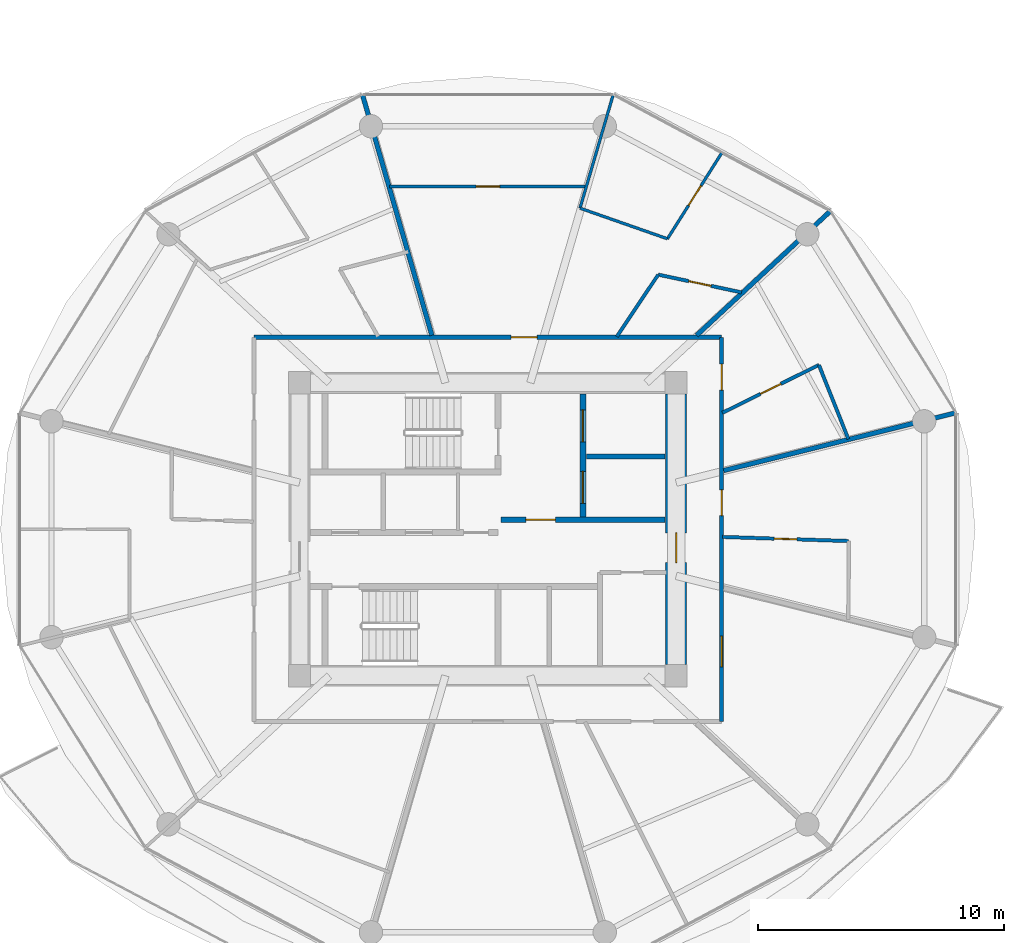
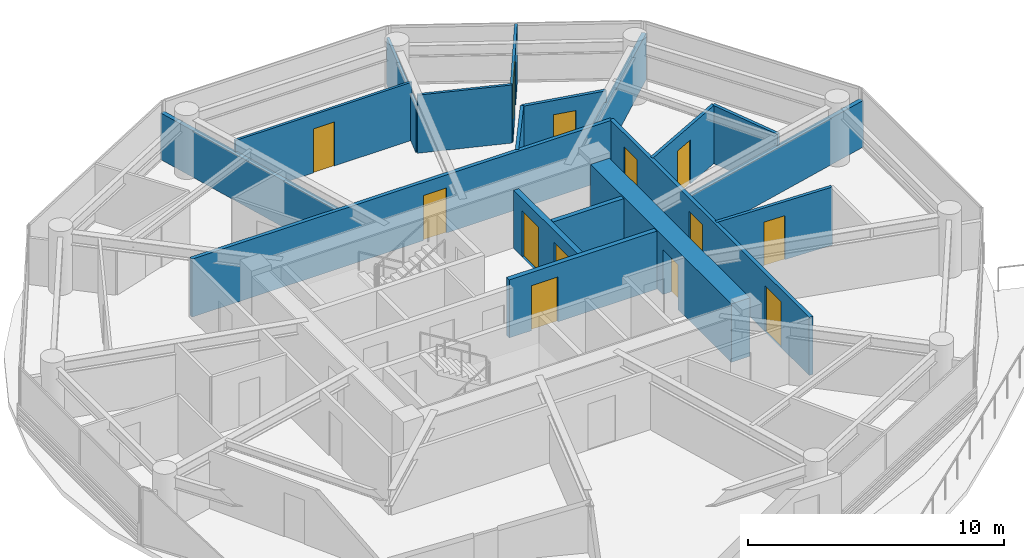
# One storey, part 19 of 25: 18 walls, 13 doors, 13 openings.
"""IFC4 building model written with IfcOpenShell, lengths in metres."""

import ifcopenshell
import ifcopenshell.guid

model = None  # the IFC model being written
_history = None  # IfcOwnerHistory: only IFC2X3 demands one
_inside = {}  # id of a spatial element -> (the spatial element, [elements in it])
_under = {}  # id of a project, library or spatial element -> (it, [spatial elements below it])
_declared = {}  # id of a project -> (the project, [libraries it declares])
_typed = {}  # id of a type object -> (the type object, [elements of that type])
_made_of = {}  # id of a material, layer set ... -> (it, [elements and type objects made of it])


def new_model(schema):
    """Start an empty IFC model of exactly this schema.

    Asked for "IFC4X3", IfcOpenShell would pick the latest addendum, in which some entities
    have other attributes; the version numbers below select the first issue.
    IFC2X3 requires an IfcOwnerHistory on every rooted entity: one is made here for all.
    """
    global model, _history
    if schema == "IFC4X3":
        model = ifcopenshell.file(schema_version=(4, 3, 0, 0))
    else:
        model = ifcopenshell.file(schema=schema)
    _inside.clear()
    _under.clear()
    _declared.clear()
    _typed.clear()
    _made_of.clear()
    _history = None
    if model.schema == "IFC2X3":
        org = make("IfcOrganization", Name="unknown")
        user = make(
            "IfcPersonAndOrganization",
            ThePerson=make("IfcPerson", FamilyName="unknown"),
            TheOrganization=org,
        )
        app = make(
            "IfcApplication",
            ApplicationDeveloper=org,
            Version="unknown",
            ApplicationFullName="unknown",
            ApplicationIdentifier="unknown",
        )
        _history = make(
            "IfcOwnerHistory",
            OwningUser=user,
            OwningApplication=app,
            ChangeAction="ADDED",
            CreationDate=0,
        )
    return model


def make(cls, **values):
    """One entity of the class cls with the attributes given. An attribute that is None is left unset."""
    return model.create_entity(
        cls, **{name: value for name, value in values.items() if value is not None}
    )


def rooted(cls, **values):
    """An entity with a GlobalId (a new one), such as an element, a storey or a relation."""
    return make(cls, GlobalId=ifcopenshell.guid.new(), OwnerHistory=_history, **values)


def si_unit(unit_type, name, prefix=None):
    """IfcSIUnit, for example si_unit("LENGTHUNIT", "METRE", prefix="MILLI")."""
    return make("IfcSIUnit", UnitType=unit_type, Prefix=prefix, Name=name)


def assignment(units):
    """IfcUnitAssignment: the units of a project."""
    return None if units is None else make("IfcUnitAssignment", Units=units)


def point(xyz):
    """IfcCartesianPoint."""
    return None if xyz is None else make("IfcCartesianPoint", Coordinates=xyz)


def direction(xyz):
    """IfcDirection."""
    return None if xyz is None else make("IfcDirection", DirectionRatios=xyz)


def frame(location, z_axis=None, x_axis=None):
    """IfcAxis2Placement3D, a coordinate frame: its origin and axes. An axis left out is left unset."""
    return make(
        "IfcAxis2Placement3D",
        Location=point(location),
        Axis=direction(z_axis),
        RefDirection=direction(x_axis),
    )


def frame_2d(location, x_axis=None):
    """IfcAxis2Placement2D, a coordinate frame in the plane: its origin and x axis."""
    return make(
        "IfcAxis2Placement2D", Location=point(location), RefDirection=direction(x_axis)
    )


def origin():
    """The frame at (0, 0, 0) with its axes left unset."""
    return frame((0.0, 0.0, 0.0))


def place(relative_to, where):
    """IfcLocalPlacement: puts the frame where relative to a parent placement (None: the world)."""
    return make(
        "IfcLocalPlacement", PlacementRelTo=relative_to, RelativePlacement=where
    )


def context(
    kind, dimensions, precision=None, world=None, true_north=None, identifier=None
):
    """IfcGeometricRepresentationContext, for example the 3D "Model" context."""
    return make(
        "IfcGeometricRepresentationContext",
        ContextIdentifier=identifier,
        ContextType=kind,
        CoordinateSpaceDimension=dimensions,
        Precision=precision,
        WorldCoordinateSystem=world,
        TrueNorth=true_north,
    )


def subcontext(parent, identifier, kind, view, scale=None):
    """IfcGeometricRepresentationSubContext, for example "Body" below "Model"."""
    return make(
        "IfcGeometricRepresentationSubContext",
        ContextIdentifier=identifier,
        ContextType=kind,
        ParentContext=parent,
        TargetScale=scale,
        TargetView=view,
    )


def project(units=None, contexts=None):
    """IfcProject with its units and contexts."""
    return rooted(
        "IfcProject",
        Name="project",
        RepresentationContexts=contexts,
        UnitsInContext=assignment(units),
    )


def spatial(cls, under=None, at=None, **own):
    """A site, building, storey or space (cls), placed at a placement, below another one or the project."""
    s = rooted(cls, ObjectPlacement=at, **own)
    if under is not None:
        _under.setdefault(under.id(), (under, []))[1].append(s)
    return s


def profile(cls, at=None, kind="AREA", **sizes):
    """A parametric profile (cls). Its sizes go by their IFC names, for example OverallWidth=200.0."""
    return make(cls, ProfileType=kind, Position=at, **sizes)


def rectangle(**sizes):
    """IfcRectangleProfileDef."""
    return profile("IfcRectangleProfileDef", **sizes)


def extrude(swept, where, along, depth):
    """IfcExtrudedAreaSolid: the profile swept, set in the frame where, extruded along a direction by depth."""
    return make(
        "IfcExtrudedAreaSolid",
        SweptArea=swept,
        Position=where,
        ExtrudedDirection=direction(along),
        Depth=depth,
    )


def shape(context_of_items, identifier, shape_type, items):
    """IfcShapeRepresentation: the items that make up one representation, for example the "Body"."""
    return make(
        "IfcShapeRepresentation",
        ContextOfItems=context_of_items,
        RepresentationIdentifier=identifier,
        RepresentationType=shape_type,
        Items=items,
    )


def source(mapping_origin, context_of_items, identifier, shape_type, items):
    """IfcRepresentationMap: a shape defined once, which mapped items show again and again."""
    return make(
        "IfcRepresentationMap",
        MappingOrigin=mapping_origin,
        MappedRepresentation=shape(context_of_items, identifier, shape_type, items),
    )


def transform(
    local_origin,
    x_axis=None,
    y_axis=None,
    z_axis=None,
    scale=None,
    scale2=None,
    scale3=None,
    uniform=True,
):
    """IfcCartesianTransformationOperator3D, or its non-uniform kind. x_axis, y_axis, z_axis: its Axis1, 2, 3."""
    if uniform:
        return make(
            "IfcCartesianTransformationOperator3D",
            Axis1=direction(x_axis),
            Axis2=direction(y_axis),
            LocalOrigin=point(local_origin),
            Scale=scale,
            Axis3=direction(z_axis),
        )
    return make(
        "IfcCartesianTransformationOperator3DnonUniform",
        Axis1=direction(x_axis),
        Axis2=direction(y_axis),
        LocalOrigin=point(local_origin),
        Scale=scale,
        Axis3=direction(z_axis),
        Scale2=scale2,
        Scale3=scale3,
    )


def mapped(mapping_source, mapping_target):
    """IfcMappedItem: shows the shape of a source again, moved by a transform."""
    return make(
        "IfcMappedItem", MappingSource=mapping_source, MappingTarget=mapping_target
    )


def material(Name=None, Category=None):
    """IfcMaterial."""
    return make("IfcMaterial", Name=Name, Category=Category)


def layer(
    of_material, thickness, ventilated=None, Name=None, Category=None, Priority=None
):
    """IfcMaterialLayer: one layer of a wall or slab, of a material (None: an air gap)."""
    return make(
        "IfcMaterialLayer",
        Material=of_material,
        LayerThickness=thickness,
        IsVentilated=ventilated,
        Name=Name,
        Category=Category,
        Priority=Priority,
    )


def layer_set(layers, Name=None):
    """IfcMaterialLayerSet."""
    return make("IfcMaterialLayerSet", MaterialLayers=layers, LayerSetName=Name)


def made_of(thing, what):
    """Note that an element or type object is made of a material, layer set ...; save() writes the relation."""
    if what is not None:
        _made_of.setdefault(what.id(), (what, []))[1].append(thing)
    return thing


def type_object(cls, material=None, **own):
    """A type object (cls), such as IfcWallType, which elements share."""
    return made_of(rooted(cls, **own), material)


def type_shapes(of_type, sources):
    """Give a type object the sources (RepresentationMaps) that its elements show as mapped items."""
    of_type.RepresentationMaps = sources


def element(
    cls,
    number,
    at=None,
    inside=None,
    cuts=None,
    type_object=None,
    material=None,
    context=None,
    identifier="Body",
    shape_type=None,
    held_by="IfcProductDefinitionShape",
    body=None,
    shapes=None,
    **own,
):
    """One element of the class cls, such as IfcWall. Its Tag is "e" and its number.

    at: its placement. inside: the storey or other place that contains it. cuts: it is an
    opening in that element (IfcRelVoidsElement). A single representation is given by context,
    identifier, shape_type and body (its items); several are given by shapes. held_by: the class
    of the entity that holds the representations. save() writes the other relations.
    """
    e = rooted(cls, Tag="e%d" % number, ObjectPlacement=at, **own)
    if body is not None:
        shapes = [shape(context, identifier, shape_type, body)]
    if shapes is not None:
        e.Representation = make(held_by, Representations=shapes)
    if inside is not None:
        _inside.setdefault(inside.id(), (inside, []))[1].append(e)
    if cuts is not None:
        rooted(
            "IfcRelVoidsElement", RelatingBuildingElement=cuts, RelatedOpeningElement=e
        )
    if type_object is not None:
        _typed.setdefault(type_object.id(), (type_object, []))[1].append(e)
    return made_of(e, material)


def fill(opening, filler):
    """IfcRelFillsElement: the door or window that sits in an opening."""
    return rooted(
        "IfcRelFillsElement",
        RelatingOpeningElement=opening,
        RelatedBuildingElement=filler,
    )


def aggregate(whole, parts):
    """IfcRelAggregates: a whole, such as a stair, and the parts it consists of."""
    return rooted("IfcRelAggregates", RelatingObject=whole, RelatedObjects=parts)


def save(model, path):
    """Write the relations noted so far, then the file.

    IfcRelAggregates (storeys below a building ...), IfcRelContainedInSpatialStructure (elements
    in a storey), IfcRelDefinesByType, IfcRelAssociatesMaterial and IfcRelDeclares: one each for
    every whole, place, type object, material and project.
    """
    for whole, parts in _under.values():
        aggregate(whole, parts)
    for where, things in _inside.values():
        rooted(
            "IfcRelContainedInSpatialStructure",
            RelatedElements=things,
            RelatingStructure=where,
        )
    for kind, things in _typed.values():
        rooted("IfcRelDefinesByType", RelatedObjects=things, RelatingType=kind)
    for what, things in _made_of.values():
        rooted("IfcRelAssociatesMaterial", RelatedObjects=things, RelatingMaterial=what)
    for by, libraries in _declared.values():
        rooted("IfcRelDeclares", RelatingContext=by, RelatedDefinitions=libraries)
    model.write(path)


model = new_model("IFC4")

# Units and contexts
model_context = context("Model", 3, precision=1e-05, world=origin(), true_north=direction((0.0, 1.0)))
body_context = subcontext(model_context, "Body", "Model", "MODEL_VIEW")
ifc_project = project(units=[si_unit("LENGTHUNIT", "METRE"), si_unit("AREAUNIT", "SQUARE_METRE"), si_unit("VOLUMEUNIT", "CUBIC_METRE"), si_unit("PLANEANGLEUNIT", "RADIAN"), si_unit("MASSUNIT", "GRAM", prefix="KILO")], contexts=[model_context])

# Site, building, storey
site_placement = place(None, origin())
site = spatial("IfcSite", under=ifc_project, at=site_placement, CompositionType="ELEMENT")
building_placement = place(site_placement, origin())
building = spatial("IfcBuilding", under=site, at=building_placement, Name="Norrkilde Senior Care Towers", CompositionType="ELEMENT")
storey_placement = place(building_placement, frame((0.0, 0.0, 27.699951171875)))
storey = spatial("IfcBuildingStorey", under=building, at=storey_placement, Name="L07", CompositionType="ELEMENT", Elevation=27.699951171875)

# Wall, opening, door
ifc_material_1 = material(Name="Concrete C60/75", Category="concrete")
ifc_layer_1 = layer(ifc_material_1, 0.85009765625)
ifc_layer_set_1 = layer_set([ifc_layer_1], Name="Concrete C60/75")
wall_type_1 = type_object("IfcWallType", Name="Core Shear Wall Z1 850", PredefinedType="SHEAR", material=ifc_layer_set_1)
shared_shape_1 = source(origin(), body_context, "Body", "SweptSolid", [
    extrude(rectangle(XDim=11.0, YDim=0.85009765625, at=frame_2d((5.5, 0.0))), origin(), (0.0, 0.0, 1.0), 2.7900390625),
])
type_shapes(wall_type_1, [shared_shape_1])
wall_1_placement = place(storey_placement, frame((35.64990234375, 5.5, 0.0), z_axis=(0.0, 0.0, 1.0), x_axis=(0.0, -1.0, 0.0)))
wall_1 = element("IfcWall", 1, at=wall_1_placement, inside=storey, type_object=wall_type_1, Name="L07 Core E East Shear Wall", PredefinedType="SHEAR", context=body_context, shape_type="MappedRepresentation", body=[
    mapped(shared_shape_1, transform((0.0, 0.0, 0.0), x_axis=(1.0, 0.0, 0.0), y_axis=(0.0, 1.0, 0.0), z_axis=(0.0, 0.0, 1.0), scale=1.0)),
])
opening_1_placement = place(wall_1_placement, frame((5.64990234375, 0.0, 0.0)))
opening_1 = element("IfcOpeningElement", 2, at=opening_1_placement, cuts=wall_1, Name="Opening D-04", PredefinedType="OPENING", context=body_context, shape_type="SweptSolid", body=[
    extrude(rectangle(XDim=1.199951171875, YDim=2.14990234375, at=frame_2d((0.60009765625, 1.074951171875))), frame((0.0, 0.43505859375, 0.0), z_axis=(0.0, -1.0, 0.0), x_axis=(1.0, 0.0, 0.0)), (0.0, 0.0, 1.0), 0.8701171875),
])
ifc_material_2 = material(Name="Galvanised Painted Steel", Category="steel")
door_type_1 = type_object("IfcDoorType", Name="Firefighting Lobby Fire Door 1200x2150", OperationType="NOTDEFINED", PredefinedType="DOOR", material=ifc_material_2)
shared_shape_2 = source(origin(), body_context, "Body", "SweptSolid", [
    extrude(rectangle(XDim=1.199951171875, YDim=2.14990234375, at=frame_2d((0.60009765625, 1.074951171875))), frame((0.0, 0.02490234375, 0.0), z_axis=(0.0, -1.0, 0.0), x_axis=(1.0, 0.0, 0.0)), (0.0, 0.0, 1.0), 0.050048828125),
])
type_shapes(door_type_1, [shared_shape_2])
door_1_placement = place(opening_1_placement, frame((1.199951171875, 0.0, 0.0), z_axis=(0.0, 0.0, 1.0), x_axis=(-1.0, 0.0, 0.0)))
door_1 = element("IfcDoor", 3, at=door_1_placement, inside=storey, type_object=door_type_1, Name="L07 Core E East Portal Door", OperationType="SINGLE_SWING_RIGHT", OverallHeight=2.14990234375, OverallWidth=1.199951171875, PredefinedType="DOOR", context=body_context, shape_type="MappedRepresentation", body=[
    mapped(shared_shape_2, transform((0.0, 0.0, 0.0), x_axis=(1.0, 0.0, 0.0), y_axis=(0.0, 1.0, 0.0), z_axis=(0.0, 0.0, 1.0), scale=1.0)),
])
fill(opening_1, door_1)

# Wall, openings, doors
ifc_material_3 = material(Name="Concrete C45/55", Category="concrete")
ifc_layer_2 = layer(ifc_material_3, 0.239990234375)
ifc_layer_set_2 = layer_set([ifc_layer_2], Name="Concrete C45/55")
wall_type_2 = type_object("IfcWallType", Name="Lift and Plant Rated Enclosure Partition 240", PredefinedType="PARTITIONING", material=ifc_layer_set_2)
shared_shape_3 = source(origin(), body_context, "Body", "SweptSolid", [
    extrude(rectangle(XDim=5.0, YDim=0.239990234375, at=frame_2d((2.5, 0.0))), origin(), (0.0, 0.0, 1.0), 2.775146484375),
])
type_shapes(wall_type_2, [shared_shape_3])
wall_2_placement = place(storey_placement, frame((31.860107421875, 0.5, 0.0), z_axis=(0.0, 0.0, 1.0), x_axis=(0.0, 1.0, 0.0)))
wall_2 = element("IfcWall", 4, at=wall_2_placement, inside=storey, type_object=wall_type_2, Name="WL-INT-L07-E-FFLE", PredefinedType="PARTITIONING", context=body_context, shape_type="MappedRepresentation", body=[
    mapped(shared_shape_3, transform((0.0, 0.0, 0.0), x_axis=(1.0, 0.0, 0.0), y_axis=(0.0, 1.0, 0.0), z_axis=(0.0, 0.0, 1.0), scale=1.0)),
])
opening_2_placement = place(wall_2_placement, frame((3.050048828125, 0.0, 0.0)))
opening_2 = element("IfcOpeningElement", 5, at=opening_2_placement, cuts=wall_2, Name="Opening LD-02", PredefinedType="OPENING", context=body_context, shape_type="SweptSolid", body=[
    extrude(rectangle(XDim=1.300048828125, YDim=2.199951171875, at=frame_2d((0.64990234375, 1.10009765625))), frame((0.0, 0.1298828125, 0.0), z_axis=(0.0, -1.0, 0.0), x_axis=(1.0, 0.0, 0.0)), (0.0, 0.0, 1.0), 0.260009765625),
])
opening_3_placement = place(wall_2_placement, frame((0.550048828125, 0.0, 0.0)))
opening_3 = element("IfcOpeningElement", 6, at=opening_3_placement, cuts=wall_2, Name="Opening LD-02", PredefinedType="OPENING", context=body_context, shape_type="SweptSolid", body=[
    extrude(rectangle(XDim=1.300048828125, YDim=2.199951171875, at=frame_2d((0.64990234375, 1.10009765625))), frame((0.0, 0.1298828125, 0.0), z_axis=(0.0, -1.0, 0.0), x_axis=(1.0, 0.0, 0.0)), (0.0, 0.0, 1.0), 0.260009765625),
])
ifc_material_4 = material(Name="Stainless Steel", Category="steel")
door_type_2 = type_object("IfcDoorType", Name="Stretcher and FFL Landing Sliding Door 1300x2200", OperationType="NOTDEFINED", PredefinedType="DOOR", material=ifc_material_4)
shared_shape_4 = source(origin(), body_context, "Body", "SweptSolid", [
    extrude(rectangle(XDim=1.300048828125, YDim=2.199951171875, at=frame_2d((0.64990234375, 1.10009765625))), frame((0.0, 0.02490234375, 0.0), z_axis=(0.0, -1.0, 0.0), x_axis=(1.0, 0.0, 0.0)), (0.0, 0.0, 1.0), 0.050048828125),
])
type_shapes(door_type_2, [shared_shape_4])
door_2_placement = place(opening_2_placement, origin())
door_2 = element("IfcDoor", 7, at=door_2_placement, inside=storey, type_object=door_type_2, Name="L07 Firefighting Lift E1 Landing Door", OperationType="SLIDING_TO_LEFT", OverallHeight=2.199951171875, OverallWidth=1.300048828125, PredefinedType="DOOR", context=body_context, shape_type="MappedRepresentation", body=[
    mapped(shared_shape_4, transform((0.0, 0.0, 0.0), x_axis=(1.0, 0.0, 0.0), y_axis=(0.0, 1.0, 0.0), z_axis=(0.0, 0.0, 1.0), scale=1.0)),
])
fill(opening_2, door_2)
door_3_placement = place(opening_3_placement, origin())
door_3 = element("IfcDoor", 8, at=door_3_placement, inside=storey, type_object=door_type_2, Name="L07 Stretcher Lift E1 Landing Door", OperationType="SLIDING_TO_RIGHT", OverallHeight=2.199951171875, OverallWidth=1.300048828125, PredefinedType="DOOR", context=body_context, shape_type="MappedRepresentation", body=[
    mapped(shared_shape_4, transform((0.0, 0.0, 0.0), x_axis=(1.0, 0.0, 0.0), y_axis=(0.0, 1.0, 0.0), z_axis=(0.0, 0.0, 1.0), scale=1.0)),
])
fill(opening_3, door_3)

# Wall
ifc_layer_3 = layer(ifc_material_3, 0.199951171875)
ifc_layer_set_3 = layer_set([ifc_layer_3], Name="Concrete C45/55")
wall_type_3 = type_object("IfcWallType", Name="Shaft Division and Plant Partition 200", PredefinedType="PARTITIONING", material=ifc_layer_set_3)
shared_shape_5 = source(origin(), body_context, "Body", "SweptSolid", [
    extrude(rectangle(XDim=3.199951171875, YDim=0.199951171875, at=frame_2d((1.60009765625, 0.0))), origin(), (0.0, 0.0, 1.0), 2.775146484375),
])
type_shapes(wall_type_3, [shared_shape_5])
wall_3_placement = place(storey_placement, frame((32.0, 2.949951171875, 0.0), z_axis=(0.0, 0.0, 1.0), x_axis=(1.0, 0.0, 0.0)))
element("IfcWall", 9, at=wall_3_placement, inside=storey, type_object=wall_type_3, Name="WL-INT-L07-E-FFLDIV", PredefinedType="PARTITIONING", context=body_context, shape_type="MappedRepresentation", body=[
    mapped(shared_shape_5, transform((0.0, 0.0, 0.0), x_axis=(1.0, 0.0, 0.0), y_axis=(0.0, 1.0, 0.0), z_axis=(0.0, 0.0, 1.0), scale=1.0)),
])

# Wall, opening, door
ifc_layer_4 = layer(ifc_material_3, 0.2099609375)
ifc_layer_set_4 = layer_set([ifc_layer_4], Name="Concrete C45/55")
wall_type_4 = type_object("IfcWallType", Name="Firefighting Lobby Wall 210", PredefinedType="PARTITIONING", material=ifc_layer_set_4)
shared_shape_6 = source(origin(), body_context, "Body", "SweptSolid", [
    extrude(rectangle(XDim=6.659912109375, YDim=0.2099609375, at=frame_2d((3.330078125, 0.0))), origin(), (0.0, 0.0, 1.0), 2.775146484375),
])
type_shapes(wall_type_4, [shared_shape_6])
wall_4_placement = place(storey_placement, frame((28.5400390625, 0.389892578125, 0.0), z_axis=(0.0, 0.0, 1.0), x_axis=(1.0, 0.0, 0.0)))
wall_4 = element("IfcWall", 10, at=wall_4_placement, inside=storey, type_object=wall_type_4, Name="WL-INT-L07-E-FFLS", PredefinedType="PARTITIONING", context=body_context, shape_type="MappedRepresentation", body=[
    mapped(shared_shape_6, transform((0.0, 0.0, 0.0), x_axis=(1.0, 0.0, 0.0), y_axis=(0.0, 1.0, 0.0), z_axis=(0.0, 0.0, 1.0), scale=1.0)),
])
opening_4_placement = place(wall_4_placement, frame((1.0, 0.0, 0.0)))
opening_4 = element("IfcOpeningElement", 11, at=opening_4_placement, cuts=wall_4, Name="Opening D-04", PredefinedType="OPENING", context=body_context, shape_type="SweptSolid", body=[
    extrude(rectangle(XDim=1.199951171875, YDim=2.14990234375, at=frame_2d((0.60009765625, 1.074951171875))), frame((0.0, 0.114990234375, 0.0), z_axis=(0.0, -1.0, 0.0), x_axis=(1.0, 0.0, 0.0)), (0.0, 0.0, 1.0), 0.22998046875),
])
door_4_placement = place(opening_4_placement, frame((1.199951171875, 0.0, 0.0), z_axis=(0.0, 0.0, 1.0), x_axis=(-1.0, 0.0, 0.0)))
door_4 = element("IfcDoor", 12, at=door_4_placement, inside=storey, type_object=door_type_1, Name="L07 Firefighting Lobby E Door", OperationType="SINGLE_SWING_LEFT", OverallHeight=2.14990234375, OverallWidth=1.199951171875, PredefinedType="DOOR", context=body_context, shape_type="MappedRepresentation", body=[
    mapped(shared_shape_2, transform((0.0, 0.0, 0.0), x_axis=(1.0, 0.0, 0.0), y_axis=(0.0, 1.0, 0.0), z_axis=(0.0, 0.0, 1.0), scale=1.0)),
])
fill(opening_4, door_4)

ifc_material_5 = material(Name="Gypsum Acoustic Board")
ifc_layer_5 = layer(ifc_material_5, 0.1650390625)
ifc_layer_set_5 = layer_set([ifc_layer_5], Name="Gypsum Acoustic Board")
wall_type_5 = type_object("IfcWallType", Name="Corridor Rated Partition 165", PredefinedType="PARTITIONING", material=ifc_layer_set_5)
shared_shape_7 = source(origin(), body_context, "Body", "SweptSolid", [
    extrude(rectangle(XDim=19.0, YDim=0.1650390625, at=frame_2d((9.5, 0.0))), origin(), (0.0, 0.0, 1.0), 2.775146484375),
])
wall_5_placement = place(storey_placement, frame((18.5, 7.800048828125, 0.0), z_axis=(0.0, 0.0, 1.0), x_axis=(1.0, 0.0, 0.0)))
wall_5 = element("IfcWall", 13, at=wall_5_placement, inside=storey, type_object=wall_type_5, Name="WL-INT-L07-E-CRW-N-0", PredefinedType="PARTITIONING", context=body_context, shape_type="MappedRepresentation", body=[
    mapped(shared_shape_7, transform((0.0, 0.0, 0.0), x_axis=(1.0, 0.0, 0.0), y_axis=(0.0, 1.0, 0.0), z_axis=(0.0, 0.0, 1.0), scale=1.0)),
])
opening_5_placement = place(wall_5_placement, frame((10.4482421875, 0.0, 0.0)))
opening_5 = element("IfcOpeningElement", 14, at=opening_5_placement, cuts=wall_5, Name="Opening D-06", PredefinedType="OPENING", context=body_context, shape_type="SweptSolid", body=[
    extrude(rectangle(XDim=1.050048828125, YDim=2.14990234375, at=frame_2d((0.52490234375, 1.074951171875))), frame((0.0, 0.092529296875, 0.0), z_axis=(0.0, -1.0, 0.0), x_axis=(1.0, 0.0, 0.0)), (0.0, 0.0, 1.0), 0.18505859375),
])
ifc_material_6 = material(Name="Nordic Ash Timber", Category="wood")
door_type_3 = type_object("IfcDoorType", Name="Apartment Entrance Fire Door 1050x2150", OperationType="NOTDEFINED", PredefinedType="DOOR", material=ifc_material_6)
shared_shape_8 = source(origin(), body_context, "Body", "SweptSolid", [
    extrude(rectangle(XDim=1.050048828125, YDim=2.14990234375, at=frame_2d((0.52490234375, 1.074951171875))), frame((0.0, 0.02490234375, 0.0), z_axis=(0.0, -1.0, 0.0), x_axis=(1.0, 0.0, 0.0)), (0.0, 0.0, 1.0), 0.050048828125),
])
type_shapes(door_type_3, [shared_shape_8])
door_5_placement = place(opening_5_placement, frame((1.050048828125, 0.0, 0.0), z_axis=(0.0, 0.0, 1.0), x_axis=(-1.0, 0.0, 0.0)))
door_5 = element("IfcDoor", 15, at=door_5_placement, inside=storey, type_object=door_type_3, Name="Apartment 07A Entrance Door", OperationType="SINGLE_SWING_RIGHT", OverallHeight=2.14990234375, OverallWidth=1.050048828125, PredefinedType="DOOR", context=body_context, shape_type="MappedRepresentation", body=[
    mapped(shared_shape_8, transform((0.0, 0.0, 0.0), x_axis=(1.0, 0.0, 0.0), y_axis=(0.0, 1.0, 0.0), z_axis=(0.0, 0.0, 1.0), scale=1.0)),
])
fill(opening_5, door_5)

# Wall, openings, doors
shared_shape_9 = source(origin(), body_context, "Body", "SweptSolid", [
    extrude(rectangle(XDim=15.60009765625, YDim=0.1650390625, at=frame_2d((7.800048828125, 0.0))), origin(), (0.0, 0.0, 1.0), 2.775146484375),
])
type_shapes(wall_type_5, [shared_shape_7, shared_shape_9])
wall_6_placement = place(storey_placement, frame((37.5, 7.800048828125, 0.0), z_axis=(0.0, 0.0, 1.0), x_axis=(0.0, -1.0, 0.0)))
wall_6 = element("IfcWall", 16, at=wall_6_placement, inside=storey, type_object=wall_type_5, Name="WL-INT-L07-E-CRW-E-0", PredefinedType="PARTITIONING", context=body_context, shape_type="MappedRepresentation", body=[
    mapped(shared_shape_9, transform((0.0, 0.0, 0.0), x_axis=(1.0, 0.0, 0.0), y_axis=(0.0, 1.0, 0.0), z_axis=(0.0, 0.0, 1.0), scale=1.0)),
])
opening_6_placement = place(wall_6_placement, frame((12.141357421875, 0.0, 0.0)))
opening_6 = element("IfcOpeningElement", 17, at=opening_6_placement, cuts=wall_6, Name="Opening D-05", PredefinedType="OPENING", context=body_context, shape_type="SweptSolid", body=[
    extrude(rectangle(XDim=1.25, YDim=2.199951171875, at=frame_2d((0.625, 1.10009765625))), frame((0.0, 0.092529296875, 0.0), z_axis=(0.0, -1.0, 0.0), x_axis=(1.0, 0.0, 0.0)), (0.0, 0.0, 1.0), 0.18505859375),
])
opening_7_placement = place(wall_6_placement, frame((6.19580078125, 0.0, 0.0)))
opening_7 = element("IfcOpeningElement", 18, at=opening_7_placement, cuts=wall_6, Name="Opening D-06", PredefinedType="OPENING", context=body_context, shape_type="SweptSolid", body=[
    extrude(rectangle(XDim=1.050048828125, YDim=2.14990234375, at=frame_2d((0.52490234375, 1.074951171875))), frame((0.0, 0.092529296875, 0.0), z_axis=(0.0, -1.0, 0.0), x_axis=(1.0, 0.0, 0.0)), (0.0, 0.0, 1.0), 0.18505859375),
])
opening_8_placement = place(wall_6_placement, frame((1.091796875, 0.0, 0.0)))
opening_8 = element("IfcOpeningElement", 19, at=opening_8_placement, cuts=wall_6, Name="Opening D-06", PredefinedType="OPENING", context=body_context, shape_type="SweptSolid", body=[
    extrude(rectangle(XDim=1.050048828125, YDim=2.14990234375, at=frame_2d((0.52490234375, 1.074951171875))), frame((0.0, 0.092529296875, 0.0), z_axis=(0.0, -1.0, 0.0), x_axis=(1.0, 0.0, 0.0)), (0.0, 0.0, 1.0), 0.18505859375),
])
door_type_4 = type_object("IfcDoorType", Name="Care Bedroom Bariatric Door 1250x2200", OperationType="NOTDEFINED", PredefinedType="DOOR", material=ifc_material_6)
shared_shape_10 = source(origin(), body_context, "Body", "SweptSolid", [
    extrude(rectangle(XDim=1.25, YDim=2.199951171875, at=frame_2d((0.625, 1.10009765625))), frame((0.0, 0.02490234375, 0.0), z_axis=(0.0, -1.0, 0.0), x_axis=(1.0, 0.0, 0.0)), (0.0, 0.0, 1.0), 0.050048828125),
])
type_shapes(door_type_4, [shared_shape_10])
door_6_placement = place(opening_6_placement, frame((1.25, 0.0, 0.0), z_axis=(0.0, 0.0, 1.0), x_axis=(-1.0, 0.0, 0.0)))
door_6 = element("IfcDoor", 20, at=door_6_placement, inside=storey, type_object=door_type_4, Name="L07 Care Coordination Charting Office Door", OperationType="SINGLE_SWING_LEFT", OverallHeight=2.199951171875, OverallWidth=1.25, PredefinedType="DOOR", context=body_context, shape_type="MappedRepresentation", body=[
    mapped(shared_shape_10, transform((0.0, 0.0, 0.0), x_axis=(1.0, 0.0, 0.0), y_axis=(0.0, 1.0, 0.0), z_axis=(0.0, 0.0, 1.0), scale=1.0)),
])
fill(opening_6, door_6)
door_7_placement = place(opening_7_placement, frame((1.050048828125, 0.0, 0.0), z_axis=(0.0, 0.0, 1.0), x_axis=(-1.0, 0.0, 0.0)))
door_7 = element("IfcDoor", 21, at=door_7_placement, inside=storey, type_object=door_type_3, Name="L07 Studio 07G Entrance Door", OperationType="SINGLE_SWING_LEFT", OverallHeight=2.14990234375, OverallWidth=1.050048828125, PredefinedType="DOOR", context=body_context, shape_type="MappedRepresentation", body=[
    mapped(shared_shape_8, transform((0.0, 0.0, 0.0), x_axis=(1.0, 0.0, 0.0), y_axis=(0.0, 1.0, 0.0), z_axis=(0.0, 0.0, 1.0), scale=1.0)),
])
fill(opening_7, door_7)
door_8_placement = place(opening_8_placement, frame((1.050048828125, 0.0, 0.0), z_axis=(0.0, 0.0, 1.0), x_axis=(-1.0, 0.0, 0.0)))
door_8 = element("IfcDoor", 22, at=door_8_placement, inside=storey, type_object=door_type_3, Name="L07 Studio 07H Entrance Door", OperationType="SINGLE_SWING_RIGHT", OverallHeight=2.14990234375, OverallWidth=1.050048828125, PredefinedType="DOOR", context=body_context, shape_type="MappedRepresentation", body=[
    mapped(shared_shape_8, transform((0.0, 0.0, 0.0), x_axis=(1.0, 0.0, 0.0), y_axis=(0.0, 1.0, 0.0), z_axis=(0.0, 0.0, 1.0), scale=1.0)),
])
fill(opening_8, door_8)

# Walls
ifc_layer_6 = layer(ifc_material_5, 0.18994140625)
ifc_layer_set_6 = layer_set([ifc_layer_6], Name="Gypsum Acoustic Board")
wall_type_6 = type_object("IfcWallType", Name="Unit Demising Acoustic Wall 190", PredefinedType="PARTITIONING", material=ifc_layer_set_6)
shared_shape_11 = source(origin(), body_context, "Body", "SweptSolid", [
    extrude(rectangle(XDim=7.4345703125, YDim=0.18994140625, at=frame_2d((3.71728515625, 0.0))), origin(), (0.0, 0.0, 1.0), 2.22509765625),
])
wall_7_placement = place(storey_placement, frame((36.48291015625, 7.8798828125, 0.0), z_axis=(0.0, 0.0, 1.0), x_axis=(0.732651956848, 0.680603489652, 0.0)))
element("IfcWall", 23, at=wall_7_placement, inside=storey, type_object=wall_type_6, Name="WL-INT-L07-E-DEM-01-0", PredefinedType="PARTITIONING", context=body_context, shape_type="MappedRepresentation", body=[
    mapped(shared_shape_11, transform((0.0, 0.0, 0.0), x_axis=(1.0, 0.0, 0.0), y_axis=(0.0, 1.0, 0.0), z_axis=(0.0, 0.0, 1.0), scale=1.0)),
])
shared_shape_12 = source(origin(), body_context, "Body", "SweptSolid", [
    extrude(rectangle(XDim=10.196044921875, YDim=0.18994140625, at=frame_2d((5.09814453125, 0.0))), origin(), (0.0, 0.0, 1.0), 2.22509765625),
])
wall_8_placement = place(storey_placement, frame((25.72705078125, 7.8798828125, 0.0), z_axis=(0.0, 0.0, 1.0), x_axis=(-0.277136420347, 0.960830580549, 0.0)))
element("IfcWall", 24, at=wall_8_placement, inside=storey, type_object=wall_type_6, Name="WL-INT-L07-E-DEM-03-0", PredefinedType="PARTITIONING", context=body_context, shape_type="MappedRepresentation", body=[
    mapped(shared_shape_12, transform((0.0, 0.0, 0.0), x_axis=(1.0, 0.0, 0.0), y_axis=(0.0, 1.0, 0.0), z_axis=(0.0, 0.0, 1.0), scale=1.0)),
])
shared_shape_13 = source(origin(), body_context, "Body", "SweptSolid", [
    extrude(rectangle(XDim=9.737060546875, YDim=0.18994140625, at=frame_2d((4.86865234375, 0.0))), origin(), (0.0, 0.0, 1.0), 2.22509765625),
])
type_shapes(wall_type_6, [shared_shape_11, shared_shape_12, shared_shape_13])
wall_9_placement = place(storey_placement, frame((37.580078125, 2.384521484375, 0.0), z_axis=(0.0, 0.0, 1.0), x_axis=(0.970392716238, 0.241532557375, 0.0)))
element("IfcWall", 25, at=wall_9_placement, inside=storey, type_object=wall_type_6, Name="WL-INT-L07-E-DEM-00-0", PredefinedType="PARTITIONING", context=body_context, shape_type="MappedRepresentation", body=[
    mapped(shared_shape_13, transform((0.0, 0.0, 0.0), x_axis=(1.0, 0.0, 0.0), y_axis=(0.0, 1.0, 0.0), z_axis=(0.0, 0.0, 1.0), scale=1.0)),
])

# Wall, opening, door
ifc_layer_7 = layer(ifc_material_5, 0.114990234375)
ifc_layer_set_7 = layer_set([ifc_layer_7], Name="Gypsum Acoustic Board")
wall_type_7 = type_object("IfcWallType", Name="Internal Room Partition 115", PredefinedType="PARTITIONING", material=ifc_layer_set_7)
shared_shape_14 = source(origin(), body_context, "Body", "SweptSolid", [
    extrude(rectangle(XDim=7.99267578125, YDim=0.114990234375, at=frame_2d((3.996337890625, 0.0))), origin(), (0.0, 0.0, 1.0), 2.775146484375),
])
wall_10_placement = place(storey_placement, frame((31.996337890625, 13.927001953125, 0.0), z_axis=(0.0, 0.0, 1.0), x_axis=(-1.0, 0.0, 0.0)))
wall_10 = element("IfcWall", 26, at=wall_10_placement, inside=storey, type_object=wall_type_7, Name="WL-INT-L07-E-UBC-01-1", PredefinedType="PARTITIONING", context=body_context, shape_type="MappedRepresentation", body=[
    mapped(shared_shape_14, transform((0.0, 0.0, 0.0), x_axis=(1.0, 0.0, 0.0), y_axis=(0.0, 1.0, 0.0), z_axis=(0.0, 0.0, 1.0), scale=1.0)),
])
opening_9_placement = place(wall_10_placement, frame((3.521484375, 0.0, 0.0)))
opening_9 = element("IfcOpeningElement", 27, at=opening_9_placement, cuts=wall_10, Name="Opening D-07", PredefinedType="OPENING", context=body_context, shape_type="SweptSolid", body=[
    extrude(rectangle(XDim=0.949951171875, YDim=2.10009765625, at=frame_2d((0.47509765625, 1.050048828125))), frame((0.0, 0.0673828125, 0.0), z_axis=(0.0, -1.0, 0.0), x_axis=(1.0, 0.0, 0.0)), (0.0, 0.0, 1.0), 0.135009765625),
])
door_type_5 = type_object("IfcDoorType", Name="Internal Suite Bedroom Door 950x2100", OperationType="NOTDEFINED", PredefinedType="DOOR", material=ifc_material_6)
shared_shape_15 = source(origin(), body_context, "Body", "SweptSolid", [
    extrude(rectangle(XDim=0.949951171875, YDim=2.10009765625, at=frame_2d((0.47509765625, 1.050048828125))), frame((0.0, 0.02490234375, 0.0), z_axis=(0.0, -1.0, 0.0), x_axis=(1.0, 0.0, 0.0)), (0.0, 0.0, 1.0), 0.050048828125),
])
type_shapes(door_type_5, [shared_shape_15])
door_9_placement = place(opening_9_placement, origin())
door_9 = element("IfcDoor", 28, at=door_9_placement, inside=storey, type_object=door_type_5, Name="Apartment 07A Bedroom 1 Door", OperationType="SINGLE_SWING_LEFT", OverallHeight=2.10009765625, OverallWidth=0.949951171875, PredefinedType="DOOR", context=body_context, shape_type="MappedRepresentation", body=[
    mapped(shared_shape_15, transform((0.0, 0.0, 0.0), x_axis=(1.0, 0.0, 0.0), y_axis=(0.0, 1.0, 0.0), z_axis=(0.0, 0.0, 1.0), scale=1.0)),
])
fill(opening_9, door_9)

# Walls
shared_shape_16 = source(origin(), body_context, "Body", "SweptSolid", [
    extrude(rectangle(XDim=4.8291015625, YDim=0.114990234375, at=frame_2d((2.41455078125, 0.0))), origin(), (0.0, 0.0, 1.0), 2.22509765625),
])
wall_11_placement = place(storey_placement, frame((31.742431640625, 13.041748046875, 0.0), z_axis=(0.0, 0.0, 1.0), x_axis=(0.280838556456, 0.959755023539, 0.0)))
element("IfcWall", 29, at=wall_11_placement, inside=storey, type_object=wall_type_7, Name="WL-INT-L07-E-UBR-01-1", PredefinedType="PARTITIONING", context=body_context, shape_type="MappedRepresentation", body=[
    mapped(shared_shape_16, transform((0.0, 0.0, 0.0), x_axis=(1.0, 0.0, 0.0), y_axis=(0.0, 1.0, 0.0), z_axis=(0.0, 0.0, 1.0), scale=1.0)),
])
ifc_layer_8 = layer(ifc_material_5, 0.139892578125)
ifc_layer_set_8 = layer_set([ifc_layer_8], Name="Gypsum Acoustic Board")
wall_type_8 = type_object("IfcWallType", Name="En-suite Wet Room Wall 140", PredefinedType="PARTITIONING", material=ifc_layer_set_8)
shared_shape_17 = source(origin(), body_context, "Body", "SweptSolid", [
    extrude(rectangle(XDim=3.025146484375, YDim=0.139892578125, at=frame_2d((1.5126953125, 0.0))), origin(), (0.0, 0.0, 1.0), 2.775146484375),
])
wall_12_placement = place(storey_placement, frame((33.23974609375, 7.830078125, 0.0), z_axis=(0.0, 0.0, 1.0), x_axis=(0.556189165904, 0.831055721195, 0.0)))
element("IfcWall", 30, at=wall_12_placement, inside=storey, type_object=wall_type_8, Name="WL-INT-L07-E-UBTS-01", PredefinedType="PARTITIONING", context=body_context, shape_type="MappedRepresentation", body=[
    mapped(shared_shape_17, transform((0.0, 0.0, 0.0), x_axis=(1.0, 0.0, 0.0), y_axis=(0.0, 1.0, 0.0), z_axis=(0.0, 0.0, 1.0), scale=1.0)),
])

# Wall, opening, door
shared_shape_18 = source(origin(), body_context, "Body", "SweptSolid", [
    extrude(rectangle(XDim=3.458984375, YDim=0.139892578125, at=frame_2d((1.7294921875, 0.0))), origin(), (0.0, 0.0, 1.0), 2.775146484375),
])
wall_13_placement = place(storey_placement, frame((34.92236328125, 10.34423828125, 0.0), z_axis=(0.0, 0.0, 1.0), x_axis=(0.978006468578, -0.208574560815, 0.0)))
wall_13 = element("IfcWall", 31, at=wall_13_placement, inside=storey, type_object=wall_type_8, Name="WL-INT-L07-E-UBTF-01", PredefinedType="PARTITIONING", context=body_context, shape_type="MappedRepresentation", body=[
    mapped(shared_shape_18, transform((0.0, 0.0, 0.0), x_axis=(1.0, 0.0, 0.0), y_axis=(0.0, 1.0, 0.0), z_axis=(0.0, 0.0, 1.0), scale=1.0)),
])
opening_10_placement = place(wall_13_placement, frame((1.26953125, 0.0, 0.0)))
opening_10 = element("IfcOpeningElement", 32, at=opening_10_placement, cuts=wall_13, Name="Opening D-08", PredefinedType="OPENING", context=body_context, shape_type="SweptSolid", body=[
    extrude(rectangle(XDim=0.919921875, YDim=2.10009765625, at=frame_2d((0.4599609375, 1.050048828125))), frame((0.0, 0.079833984375, 0.0), z_axis=(0.0, -1.0, 0.0), x_axis=(1.0, 0.0, 0.0)), (0.0, 0.0, 1.0), 0.159912109375),
])
door_type_6 = type_object("IfcDoorType", Name="Accessible Wet Room Door 920x2100", OperationType="NOTDEFINED", PredefinedType="DOOR", material=ifc_material_6)
shared_shape_19 = source(origin(), body_context, "Body", "SweptSolid", [
    extrude(rectangle(XDim=0.919921875, YDim=2.10009765625, at=frame_2d((0.4599609375, 1.050048828125))), frame((0.0, 0.02490234375, 0.0), z_axis=(0.0, -1.0, 0.0), x_axis=(1.0, 0.0, 0.0)), (0.0, 0.0, 1.0), 0.050048828125),
])
type_shapes(door_type_6, [shared_shape_19])
door_10_placement = place(opening_10_placement, origin())
door_10 = element("IfcDoor", 33, at=door_10_placement, inside=storey, type_object=door_type_6, Name="Apartment 07A Bathroom Door", OperationType="SINGLE_SWING_LEFT", OverallHeight=2.10009765625, OverallWidth=0.919921875, PredefinedType="DOOR", context=body_context, shape_type="MappedRepresentation", body=[
    mapped(shared_shape_19, transform((0.0, 0.0, 0.0), x_axis=(1.0, 0.0, 0.0), y_axis=(0.0, 1.0, 0.0), z_axis=(0.0, 0.0, 1.0), scale=1.0)),
])
fill(opening_10, door_10)

shared_shape_20 = source(origin(), body_context, "Body", "SweptSolid", [
    extrude(rectangle(XDim=4.150390625, YDim=0.114990234375, at=frame_2d((2.0751953125, 0.0))), origin(), (0.0, 0.0, 1.0), 2.775146484375),
])
wall_14_placement = place(storey_placement, frame((35.296142578125, 11.800537109375, 0.0), z_axis=(0.0, 0.0, 1.0), x_axis=(0.534475378192, 0.845184045109, 0.0)))
wall_14 = element("IfcWall", 34, at=wall_14_placement, inside=storey, type_object=wall_type_7, Name="WL-INT-L07-E-UKTS-01", PredefinedType="PARTITIONING", context=body_context, shape_type="MappedRepresentation", body=[
    mapped(shared_shape_20, transform((0.0, 0.0, 0.0), x_axis=(1.0, 0.0, 0.0), y_axis=(0.0, 1.0, 0.0), z_axis=(0.0, 0.0, 1.0), scale=1.0)),
])
opening_11_placement = place(wall_14_placement, frame((1.60009765625, 0.0, 0.0)))
opening_11 = element("IfcOpeningElement", 35, at=opening_11_placement, cuts=wall_14, Name="Opening D-07", PredefinedType="OPENING", context=body_context, shape_type="SweptSolid", body=[
    extrude(rectangle(XDim=0.949951171875, YDim=2.10009765625, at=frame_2d((0.47509765625, 1.050048828125))), frame((0.0, 0.0673828125, 0.0), z_axis=(0.0, -1.0, 0.0), x_axis=(1.0, 0.0, 0.0)), (0.0, 0.0, 1.0), 0.135009765625),
])
door_11_placement = place(opening_11_placement, frame((0.949951171875, 0.0, 0.0), z_axis=(0.0, 0.0, 1.0), x_axis=(-1.0, 0.0, 0.0)))
door_11 = element("IfcDoor", 36, at=door_11_placement, inside=storey, type_object=door_type_5, Name="Apartment 07A Kitchen Door", OperationType="SINGLE_SWING_RIGHT", OverallHeight=2.10009765625, OverallWidth=0.949951171875, PredefinedType="DOOR", context=body_context, shape_type="MappedRepresentation", body=[
    mapped(shared_shape_15, transform((0.0, 0.0, 0.0), x_axis=(1.0, 0.0, 0.0), y_axis=(0.0, 1.0, 0.0), z_axis=(0.0, 0.0, 1.0), scale=1.0)),
])
fill(opening_11, door_11)

# Wall
shared_shape_21 = source(origin(), body_context, "Body", "SweptSolid", [
    extrude(rectangle(XDim=3.7646484375, YDim=0.114990234375, at=frame_2d((1.88232421875, 0.0))), origin(), (0.0, 0.0, 1.0), 2.775146484375),
])
type_shapes(wall_type_7, [shared_shape_14, shared_shape_16, shared_shape_20, shared_shape_21])
wall_15_placement = place(storey_placement, frame((35.296142578125, 11.800537109375, 0.0), z_axis=(0.0, 0.0, 1.0), x_axis=(-0.943788572669, 0.330549739222, 0.0)))
element("IfcWall", 37, at=wall_15_placement, inside=storey, type_object=wall_type_7, Name="WL-INT-L07-E-UKTF-01", PredefinedType="PARTITIONING", context=body_context, shape_type="MappedRepresentation", body=[
    mapped(shared_shape_21, transform((0.0, 0.0, 0.0), x_axis=(1.0, 0.0, 0.0), y_axis=(0.0, 1.0, 0.0), z_axis=(0.0, 0.0, 1.0), scale=1.0)),
])

# Wall, opening, door
shared_shape_22 = source(origin(), body_context, "Body", "SweptSolid", [
    extrude(rectangle(XDim=5.127685546875, YDim=0.139892578125, at=frame_2d((2.56396484375, 0.0))), origin(), (0.0, 0.0, 1.0), 2.775146484375),
])
wall_16_placement = place(storey_placement, frame((37.530029296875, -0.310791015625, 0.0), z_axis=(0.0, 0.0, 1.0), x_axis=(0.999469568972, -0.032566557983, 0.0)))
wall_16 = element("IfcWall", 38, at=wall_16_placement, inside=storey, type_object=wall_type_8, Name="WL-INT-L07-E-ES-11", PredefinedType="PARTITIONING", context=body_context, shape_type="MappedRepresentation", body=[
    mapped(shared_shape_22, transform((0.0, 0.0, 0.0), x_axis=(1.0, 0.0, 0.0), y_axis=(0.0, 1.0, 0.0), z_axis=(0.0, 0.0, 1.0), scale=1.0)),
])
opening_12_placement = place(wall_16_placement, frame((2.10400390625, 0.0, 0.0)))
opening_12 = element("IfcOpeningElement", 39, at=opening_12_placement, cuts=wall_16, Name="Opening D-08", PredefinedType="OPENING", context=body_context, shape_type="SweptSolid", body=[
    extrude(rectangle(XDim=0.919921875, YDim=2.10009765625, at=frame_2d((0.4599609375, 1.050048828125))), frame((0.0, 0.079833984375, 0.0), z_axis=(0.0, -1.0, 0.0), x_axis=(1.0, 0.0, 0.0)), (0.0, 0.0, 1.0), 0.159912109375),
])
door_12_placement = place(opening_12_placement, origin())
door_12 = element("IfcDoor", 40, at=door_12_placement, inside=storey, type_object=door_type_6, Name="L07 Studio 07G Bathroom Door", OperationType="SINGLE_SWING_RIGHT", OverallHeight=2.10009765625, OverallWidth=0.919921875, PredefinedType="DOOR", context=body_context, shape_type="MappedRepresentation", body=[
    mapped(shared_shape_19, transform((0.0, 0.0, 0.0), x_axis=(1.0, 0.0, 0.0), y_axis=(0.0, 1.0, 0.0), z_axis=(0.0, 0.0, 1.0), scale=1.0)),
])
fill(opening_12, door_12)

shared_shape_23 = source(origin(), body_context, "Body", "SweptSolid", [
    extrude(rectangle(XDim=4.37353515625, YDim=0.139892578125, at=frame_2d((2.186767578125, 0.0))), origin(), (0.0, 0.0, 1.0), 2.775146484375),
])
wall_17_placement = place(storey_placement, frame((37.530029296875, 4.731689453125, 0.0), z_axis=(0.0, 0.0, 1.0), x_axis=(0.89568523908, 0.444688601714, 0.0)))
wall_17 = element("IfcWall", 41, at=wall_17_placement, inside=storey, type_object=wall_type_8, Name="WL-INT-L07-E-ES-00", PredefinedType="PARTITIONING", context=body_context, shape_type="MappedRepresentation", body=[
    mapped(shared_shape_23, transform((0.0, 0.0, 0.0), x_axis=(1.0, 0.0, 0.0), y_axis=(0.0, 1.0, 0.0), z_axis=(0.0, 0.0, 1.0), scale=1.0)),
])
opening_13_placement = place(wall_17_placement, frame((1.726806640625, 0.0, 0.0)))
opening_13 = element("IfcOpeningElement", 42, at=opening_13_placement, cuts=wall_17, Name="Opening D-08", PredefinedType="OPENING", context=body_context, shape_type="SweptSolid", body=[
    extrude(rectangle(XDim=0.919921875, YDim=2.10009765625, at=frame_2d((0.4599609375, 1.050048828125))), frame((0.0, 0.079833984375, 0.0), z_axis=(0.0, -1.0, 0.0), x_axis=(1.0, 0.0, 0.0)), (0.0, 0.0, 1.0), 0.159912109375),
])
door_13_placement = place(opening_13_placement, origin())
door_13 = element("IfcDoor", 43, at=door_13_placement, inside=storey, type_object=door_type_6, Name="L07 Studio 07H Bathroom Door", OperationType="SINGLE_SWING_LEFT", OverallHeight=2.10009765625, OverallWidth=0.919921875, PredefinedType="DOOR", context=body_context, shape_type="MappedRepresentation", body=[
    mapped(shared_shape_19, transform((0.0, 0.0, 0.0), x_axis=(1.0, 0.0, 0.0), y_axis=(0.0, 1.0, 0.0), z_axis=(0.0, 0.0, 1.0), scale=1.0)),
])
fill(opening_13, door_13)

# Wall
shared_shape_24 = source(origin(), body_context, "Body", "SweptSolid", [
    extrude(rectangle(XDim=3.241943359375, YDim=0.139892578125, at=frame_2d((1.62109375, 0.0))), origin(), (0.0, 0.0, 1.0), 2.775146484375),
])
type_shapes(wall_type_8, [shared_shape_17, shared_shape_18, shared_shape_22, shared_shape_23, shared_shape_24])
wall_18_placement = place(storey_placement, frame((41.447265625, 6.676513671875, 0.0), z_axis=(0.0, 0.0, 1.0), x_axis=(0.36984501862, -0.929093462576, 0.0)))
element("IfcWall", 44, at=wall_18_placement, inside=storey, type_object=wall_type_8, Name="WL-INT-L07-E-EF-00", PredefinedType="PARTITIONING", context=body_context, shape_type="MappedRepresentation", body=[
    mapped(shared_shape_24, transform((0.0, 0.0, 0.0), x_axis=(1.0, 0.0, 0.0), y_axis=(0.0, 1.0, 0.0), z_axis=(0.0, 0.0, 1.0), scale=1.0)),
])

save(model, "model.ifc")
